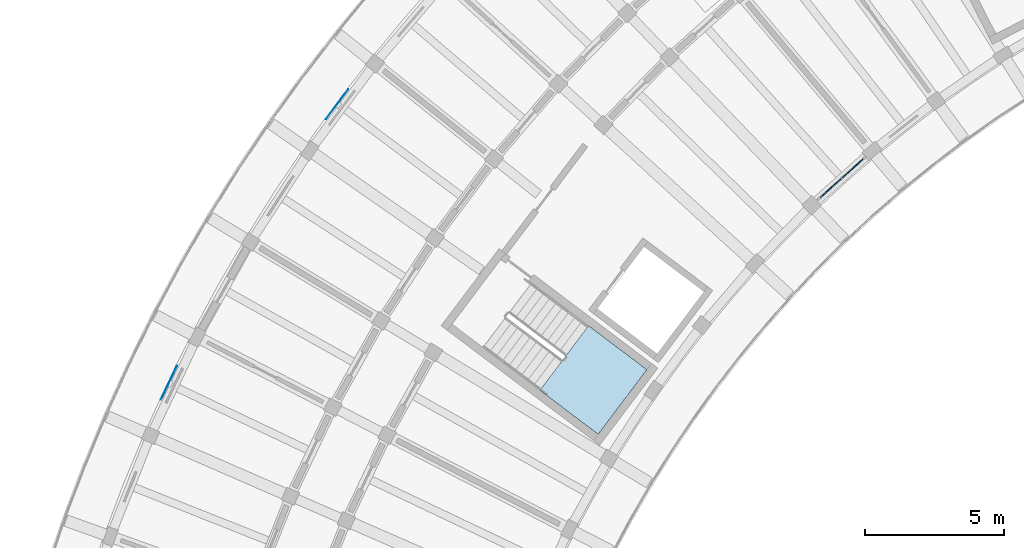
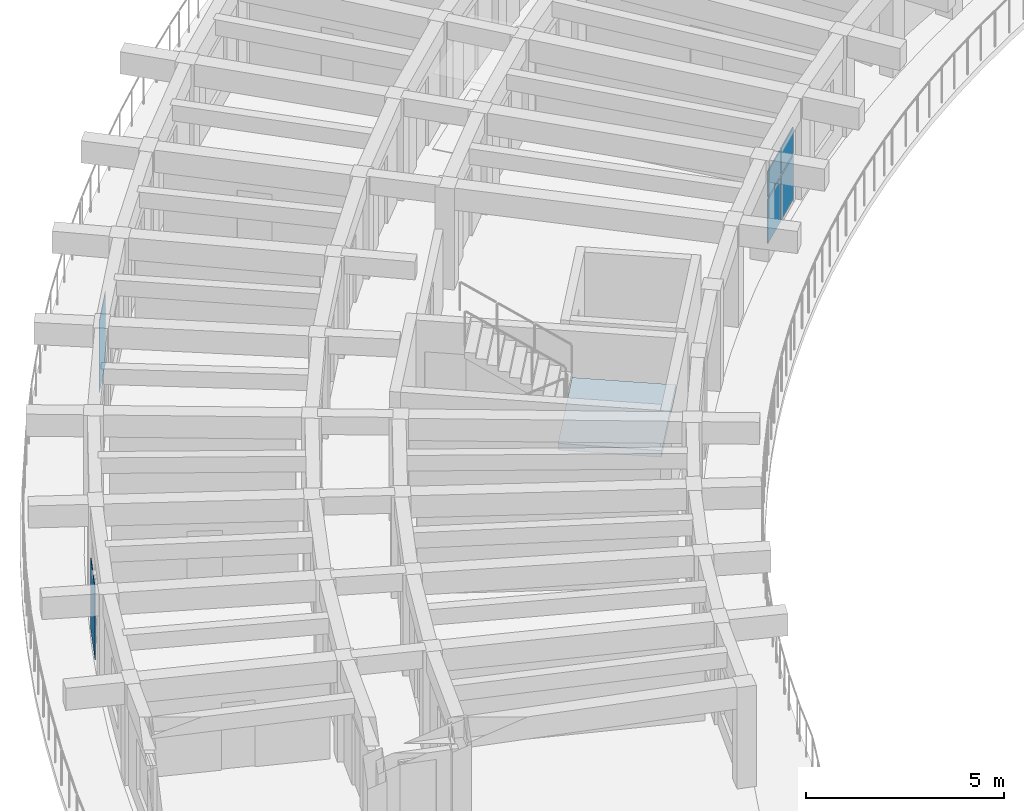
# One storey, part 17 of 56: 6 plates, 1 slab, 2 elements without a shape of their own.
"""IFC4 building model written with IfcOpenShell, lengths in metres."""

from ifc_helpers import new_model, si_unit, direction, frame, origin, origin_2d, place, context, subcontext, project, spatial, polyline, rectangle, outline, extrude, material, layer, layer_set, type_object, element, aggregate, save


model = new_model("IFC4")

# Units and contexts
model_context = context("Model", 3, precision=1e-05, world=origin(), true_north=direction((0.0, 1.0)))
body_context = subcontext(model_context, "Body", "Model", "MODEL_VIEW")
ifc_project = project(units=[si_unit("LENGTHUNIT", "METRE"), si_unit("AREAUNIT", "SQUARE_METRE"), si_unit("VOLUMEUNIT", "CUBIC_METRE"), si_unit("PLANEANGLEUNIT", "RADIAN"), si_unit("MASSUNIT", "GRAM", prefix="KILO")], contexts=[model_context])

# Site, building, storey
site_placement = place(None, origin())
site = spatial("IfcSite", under=ifc_project, at=site_placement, CompositionType="ELEMENT")
building_placement = place(site_placement, origin())
building = spatial("IfcBuilding", under=site, at=building_placement, Name="Tanwirah Colonnade Gardens", CompositionType="ELEMENT")
storey_placement = place(building_placement, frame((0.0, 0.0, 29.0)))
storey = spatial("IfcBuildingStorey", under=building, at=storey_placement, Name="L08", CompositionType="ELEMENT", Elevation=29.0)

# Curtain wall, plates
ifc_material_1 = material(Name="Bronze-anodised aluminium and solar-control low-E glass", Category="aluminium")
curtain_wall_type = type_object("IfcCurtainWallType", Name="CW-GDN", PredefinedType="NOTDEFINED", material=ifc_material_1)
curtain_wall_placement = place(storey_placement, origin())
curtain_wall = element("IfcCurtainWall", 1, at=curtain_wall_placement, inside=storey, type_object=curtain_wall_type, Name="Curtain Wall CW-A-L08-IN-09", PredefinedType="NOTDEFINED")
ifc_material_2 = material(Name="Acoustic solar-control low-E double glazing", Category="glass")
ifc_layer_1 = layer(ifc_material_2, 0.031982421875)
ifc_layer_set_1 = layer_set([ifc_layer_1], Name="Acoustic solar-control low-E double glazing")
plate_type_1 = type_object("IfcPlateType", Name="CWP-GLZ32", PredefinedType="CURTAIN_PANEL", material=ifc_layer_set_1)
plate_1_placement = place(storey_placement, frame((35.735595703125, 93.629638671875, 0.070068359375), z_axis=(0.0, 0.0, 1.0), x_axis=(-0.744440162253, -0.667689182798, 0.0)))
plate_1 = element("IfcPlate", 2, at=plate_1_placement, type_object=plate_type_1, Name="CW-GDN panel 1.1", PredefinedType="CURTAIN_PANEL", context=body_context, shape_type="SweptSolid", body=[
    extrude(rectangle(XDim=1.000244140625, YDim=0.031982421875, at=origin_2d()), origin(), (0.0, 0.0, 1.0), 1.35498046875),
])
plate_2_placement = place(storey_placement, frame((35.735595703125, 93.629638671875, 1.4951171875), z_axis=(0.0, 0.0, 1.0), x_axis=(-0.744440162253, -0.667689182798, 0.0)))
plate_2 = element("IfcPlate", 3, at=plate_2_placement, type_object=plate_type_1, Name="CW-GDN panel 1.2", PredefinedType="CURTAIN_PANEL", context=body_context, shape_type="SweptSolid", body=[
    extrude(rectangle(XDim=1.000244140625, YDim=0.031982421875, at=origin_2d()), origin(), (0.0, 0.0, 1.0), 0.789794921875),
])
plate_3_placement = place(storey_placement, frame((34.93896484375, 92.915283203125, 0.070068359375), z_axis=(0.0, 0.0, 1.0), x_axis=(-0.744440162253, -0.667689182798, 0.0)))
plate_3 = element("IfcPlate", 4, at=plate_3_placement, type_object=plate_type_1, Name="CW-GDN panel 2.1", PredefinedType="CURTAIN_PANEL", context=body_context, shape_type="SweptSolid", body=[
    extrude(rectangle(XDim=1.000244140625, YDim=0.031982421875, at=origin_2d()), origin(), (0.0, 0.0, 1.0), 1.35498046875),
])
plate_4_placement = place(storey_placement, frame((34.93896484375, 92.915283203125, 1.4951171875), z_axis=(0.0, 0.0, 1.0), x_axis=(-0.744440162253, -0.667689182798, 0.0)))
plate_4 = element("IfcPlate", 5, at=plate_4_placement, type_object=plate_type_1, Name="CW-GDN panel 2.2", PredefinedType="CURTAIN_PANEL", context=body_context, shape_type="SweptSolid", body=[
    extrude(rectangle(XDim=1.000244140625, YDim=0.031982421875, at=origin_2d()), origin(), (0.0, 0.0, 1.0), 0.789794921875),
])
aggregate(curtain_wall, [plate_1, plate_2, plate_3, plate_4])

# Plates
ifc_material_3 = material(Name="Laser-cut bronze aluminium solar screen plate", Category="aluminium")
ifc_layer_2 = layer(ifc_material_3, 0.01611328125)
ifc_layer_set_2 = layer_set([ifc_layer_2], Name="Laser-cut bronze aluminium solar screen plate")
plate_type_2 = type_object("IfcPlateType", Name="PLT-SCR16", PredefinedType="SHEET", material=ifc_layer_set_2)
plate_5_placement = place(storey_placement, frame((17.137939453125, 95.942138671875, 0.0), z_axis=(0.0, 0.0, 1.0), x_axis=(-0.598712697637, -0.800963860413, 0.0)))
element("IfcPlate", 6, at=plate_5_placement, inside=storey, type_object=plate_type_2, Name="Perforated solar screen plate A-L08-12", PredefinedType="SHEET", context=body_context, shape_type="SweptSolid", body=[
    extrude(rectangle(XDim=1.35009765625, YDim=0.01611328125, at=origin_2d()), origin(), (0.0, 0.0, 1.0), 2.199951171875),
])
plate_6_placement = place(storey_placement, frame((11.07080078125, 85.88916015625, 0.0), z_axis=(0.0, 0.0, 1.0), x_axis=(-0.429636566256, -0.903001894204, 0.0)))
element("IfcPlate", 7, at=plate_6_placement, inside=storey, type_object=plate_type_2, Name="Perforated solar screen plate A-L08-15", PredefinedType="SHEET", context=body_context, shape_type="SweptSolid", body=[
    extrude(rectangle(XDim=1.35009765625, YDim=0.01611328125, at=origin_2d()), origin(), (0.0, 0.0, 1.0), 2.2099609375),
])

# Stair, slab
ifc_material_4 = material(Name="Precast concrete C40/50", Category="concrete")
stair_type = type_object("IfcStairType", Name="ST-RES168", PredefinedType="HALF_TURN_STAIR", material=ifc_material_4)
stair_placement = place(storey_placement, origin())
stair = element("IfcStair", 8, at=stair_placement, inside=storey, type_object=stair_type, Name="L08 Block A Core 2 Exit Stair", PredefinedType="HALF_TURN_STAIR")
ifc_layer_3 = layer(ifc_material_4, 0.205078125)
ifc_layer_set_3 = layer_set([ifc_layer_3], Name="Precast concrete C40/50")
slab_type = type_object("IfcSlabType", Name="SL-LND-205", PredefinedType="LANDING", material=ifc_layer_set_3)
slab_placement = place(storey_placement, frame((0.0, 0.0, 1.47509765625)))
slab = element("IfcSlab", 9, at=slab_placement, type_object=slab_type, Name="ST-A2 landing 1", PredefinedType="LANDING", context=body_context, shape_type="SweptSolid", body=[
    extrude(outline(polyline([(24.44970703125, 85.623046875), (26.553955078125, 84.037353515625), (28.311279296875, 86.369384765625), (26.20703125, 87.955078125), (24.44970703125, 85.623046875)])), origin(), (0.0, 0.0, 1.0), 0.204833984375),
])
aggregate(stair, [slab])

save(model, "model.ifc")
